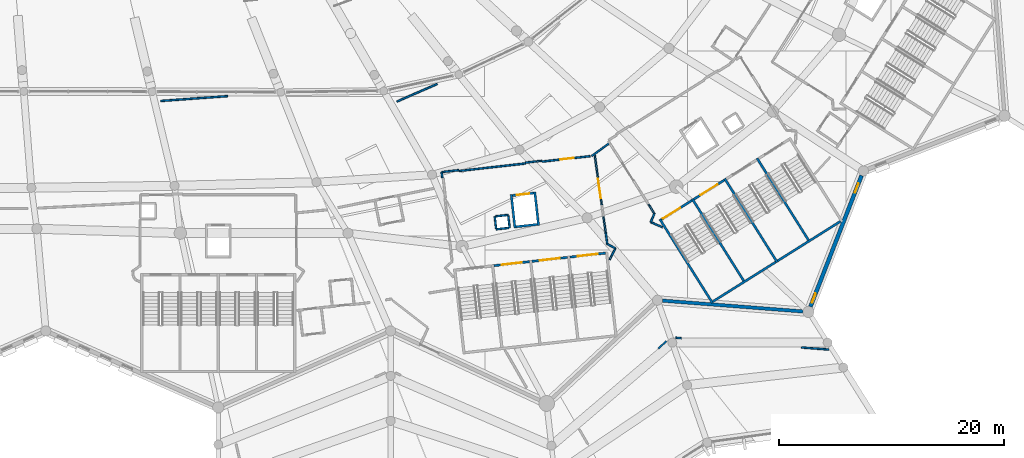
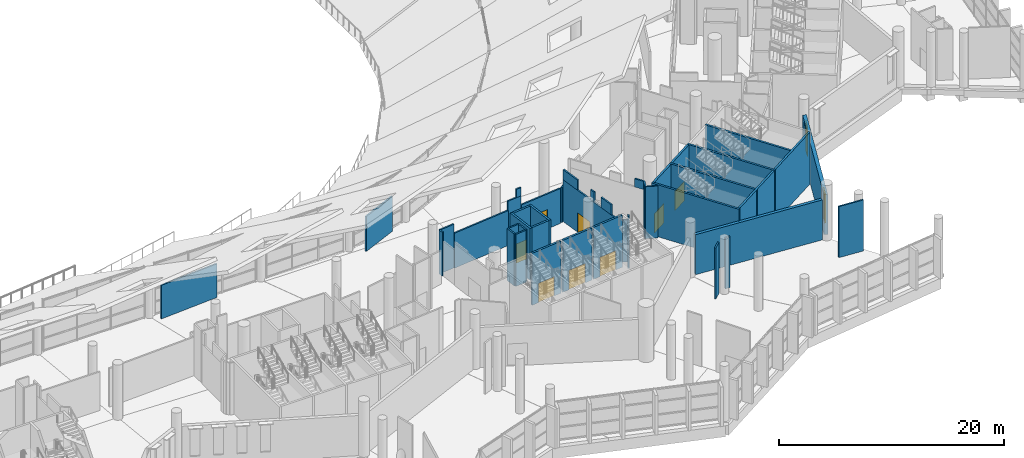
# One storey, part 150 of 249: 43 walls, 8 doors, 2 windows, 10 openings.
"""IFC4 building model written with IfcOpenShell, lengths in metres."""

from ifc_helpers import new_model, si_unit, direction, frame, frame_2d, origin, place, context, subcontext, project, spatial, rectangle, extrude, material, layer, layer_set, type_object, element, fill, save


model = new_model("IFC4")

# Units and contexts
model_context = context("Model", 3, precision=1e-05, world=origin(), true_north=direction((0.0, 1.0)))
body_context = subcontext(model_context, "Body", "Model", "MODEL_VIEW")
ifc_project = project(units=[si_unit("LENGTHUNIT", "METRE"), si_unit("AREAUNIT", "SQUARE_METRE"), si_unit("VOLUMEUNIT", "CUBIC_METRE"), si_unit("PLANEANGLEUNIT", "RADIAN"), si_unit("MASSUNIT", "GRAM", prefix="KILO")], contexts=[model_context])

# Site, building, storey
site_placement = place(None, origin())
site = spatial("IfcSite", under=ifc_project, at=site_placement, CompositionType="ELEMENT")
building_placement = place(site_placement, origin())
building = spatial("IfcBuilding", under=site, at=building_placement, Name="Meseta Stadium", CompositionType="ELEMENT")
storey_placement = place(building_placement, frame((0.0, 0.0, 12.0)))
storey = spatial("IfcBuildingStorey", under=building, at=storey_placement, Name="L02", CompositionType="ELEMENT", Elevation=12.0)

# Walls
ifc_material_1 = material(Name="Concrete C40/50", Category="concrete")
ifc_layer_1 = layer(ifc_material_1, 0.199951171875)
ifc_layer_set_1 = layer_set([ifc_layer_1], Name="Core divider wall 200")
wall_type_1 = type_object("IfcWallType", Name="Core divider wall 200", PredefinedType="SHEAR", material=ifc_layer_set_1)
wall_1_placement = place(storey_placement, frame((69.8291015625, -94.314453125, 0.0), z_axis=(0.0, 0.0, 1.0), x_axis=(-0.532032334759, 0.846724036963, 0.0)))
element("IfcWall", 1, at=wall_1_placement, inside=storey, type_object=wall_type_1, Name="Core 27 L02 stair A divider wall", PredefinedType="SHEAR", context=body_context, shape_type="SweptSolid", body=[
    extrude(rectangle(XDim=8.800048828125, YDim=0.199951171875, at=frame_2d((4.39990234375, 0.0))), origin(), (0.0, 0.0, 1.0), 5.64990234375),
])
wall_2_placement = place(storey_placement, frame((75.5869140625, -90.696533203125, 0.0), z_axis=(0.0, 0.0, 1.0), x_axis=(-0.532044832901, 0.846716183726, 0.0)))
element("IfcWall", 2, at=wall_2_placement, inside=storey, type_object=wall_type_1, Name="Core 27 L02 stair B divider wall", PredefinedType="SHEAR", context=body_context, shape_type="SweptSolid", body=[
    extrude(rectangle(XDim=8.7998046875, YDim=0.199951171875, at=frame_2d((4.39990234375, 0.0))), origin(), (0.0, 0.0, 1.0), 5.64990234375),
])

# Wall, opening, door
ifc_material_2 = material(Name="Concrete C40/50", Category="concrete")
ifc_layer_2 = layer(ifc_material_2, 0.199951171875)
ifc_layer_set_2 = layer_set([ifc_layer_2], Name="Core shaft wall 200")
wall_type_2 = type_object("IfcWallType", Name="Core shaft wall 200", PredefinedType="SHEAR", material=ifc_layer_set_2)
wall_3_placement = place(storey_placement, frame((47.501708984375, -92.801025390625, 0.0), z_axis=(0.0, 0.0, 1.0), x_axis=(0.993707560215, 0.112005735442, 0.0)))
wall_3 = element("IfcWall", 3, at=wall_3_placement, inside=storey, type_object=wall_type_2, Name="Core 26 L02 stair A2 inner end wall", PredefinedType="SHEAR", context=body_context, shape_type="SweptSolid", body=[
    extrude(rectangle(XDim=3.19970703125, YDim=0.199951171875, at=frame_2d((1.599853515625, 0.0))), origin(), (0.0, 0.0, 1.0), 5.64990234375),
])
opening_1_placement = place(wall_3_placement, frame((0.699951171875, 0.0, 0.0)))
opening_1 = element("IfcOpeningElement", 4, at=opening_1_placement, cuts=wall_3, Name="Opening D1156", PredefinedType="OPENING", context=body_context, shape_type="SweptSolid", body=[
    extrude(rectangle(XDim=1.800048828125, YDim=2.10009765625, at=frame_2d((0.89990234375, 1.050048828125))), frame((0.0, 0.10986328125, 0.0), z_axis=(0.0, -1.0, 0.0), x_axis=(1.0, 0.0, 0.0)), (0.0, 0.0, 1.0), 0.219970703125),
])
ifc_material_3 = material(Name="Steel", Category="steel")
door_type_1 = type_object("IfcDoorType", Name="Stair door 1800x2100", OperationType="DOUBLE_DOOR_SINGLE_SWING", PredefinedType="DOOR", material=ifc_material_3)
door_1_placement = place(opening_1_placement, origin())
door_1 = element("IfcDoor", 5, at=door_1_placement, inside=storey, type_object=door_type_1, Name="Stair A2 door 26 L02", OperationType="DOUBLE_DOOR_SINGLE_SWING", OverallHeight=2.10009765625, OverallWidth=1.800048828125, PredefinedType="DOOR", context=body_context, shape_type="SweptSolid", body=[
    extrude(rectangle(XDim=1.800048828125, YDim=2.10009765625, at=frame_2d((0.89990234375, 1.050048828125))), frame((0.0, 0.02490234375, 0.0), z_axis=(0.0, -1.0, 0.0), x_axis=(1.0, 0.0, 0.0)), (0.0, 0.0, 1.0), 0.050048828125),
])
fill(opening_1, door_1)

wall_4_placement = place(storey_placement, frame((50.88037109375, -92.42041015625, 0.0), z_axis=(0.0, 0.0, 1.0), x_axis=(0.993707560215, 0.112005735442, 0.0)))
wall_4 = element("IfcWall", 6, at=wall_4_placement, inside=storey, type_object=wall_type_2, Name="Core 26 L02 stair B1 inner end wall", PredefinedType="SHEAR", context=body_context, shape_type="SweptSolid", body=[
    extrude(rectangle(XDim=3.19970703125, YDim=0.199951171875, at=frame_2d((1.599853515625, 0.0))), origin(), (0.0, 0.0, 1.0), 5.64990234375),
])
opening_2_placement = place(wall_4_placement, frame((0.699951171875, 0.0, 0.0)))
opening_2 = element("IfcOpeningElement", 7, at=opening_2_placement, cuts=wall_4, Name="Opening D1159", PredefinedType="OPENING", context=body_context, shape_type="SweptSolid", body=[
    extrude(rectangle(XDim=1.800048828125, YDim=2.10009765625, at=frame_2d((0.89990234375, 1.050048828125))), frame((0.0, 0.10986328125, 0.0), z_axis=(0.0, -1.0, 0.0), x_axis=(1.0, 0.0, 0.0)), (0.0, 0.0, 1.0), 0.219970703125),
])
door_2_placement = place(opening_2_placement, origin())
door_2 = element("IfcDoor", 8, at=door_2_placement, inside=storey, type_object=door_type_1, Name="Stair B1 door 26 L02", OperationType="DOUBLE_DOOR_SINGLE_SWING", OverallHeight=2.10009765625, OverallWidth=1.800048828125, PredefinedType="DOOR", context=body_context, shape_type="SweptSolid", body=[
    extrude(rectangle(XDim=1.800048828125, YDim=2.10009765625, at=frame_2d((0.89990234375, 1.050048828125))), frame((0.0, 0.02490234375, 0.0), z_axis=(0.0, -1.0, 0.0), x_axis=(1.0, 0.0, 0.0)), (0.0, 0.0, 1.0), 0.050048828125),
])
fill(opening_2, door_2)

wall_5_placement = place(storey_placement, frame((54.2587890625, -92.03955078125, 0.0), z_axis=(0.0, 0.0, 1.0), x_axis=(0.993717005286, 0.11192190762, 0.0)))
wall_5 = element("IfcWall", 9, at=wall_5_placement, inside=storey, type_object=wall_type_2, Name="Core 26 L02 stair B2 inner end wall", PredefinedType="SHEAR", context=body_context, shape_type="SweptSolid", body=[
    extrude(rectangle(XDim=3.199951171875, YDim=0.199951171875, at=frame_2d((1.60009765625, 0.0))), origin(), (0.0, 0.0, 1.0), 5.64990234375),
])
opening_3_placement = place(wall_5_placement, frame((0.699951171875, 0.0, 0.0)))
opening_3 = element("IfcOpeningElement", 10, at=opening_3_placement, cuts=wall_5, Name="Opening D1165", PredefinedType="OPENING", context=body_context, shape_type="SweptSolid", body=[
    extrude(rectangle(XDim=1.800048828125, YDim=2.10009765625, at=frame_2d((0.89990234375, 1.050048828125))), frame((0.0, 0.10986328125, 0.0), z_axis=(0.0, -1.0, 0.0), x_axis=(1.0, 0.0, 0.0)), (0.0, 0.0, 1.0), 0.219970703125),
])
door_3_placement = place(opening_3_placement, origin())
door_3 = element("IfcDoor", 11, at=door_3_placement, inside=storey, type_object=door_type_1, Name="Stair B2 door 26 L02", OperationType="DOUBLE_DOOR_SINGLE_SWING", OverallHeight=2.10009765625, OverallWidth=1.800048828125, PredefinedType="DOOR", context=body_context, shape_type="SweptSolid", body=[
    extrude(rectangle(XDim=1.800048828125, YDim=2.10009765625, at=frame_2d((0.89990234375, 1.050048828125))), frame((0.0, 0.02490234375, 0.0), z_axis=(0.0, -1.0, 0.0), x_axis=(1.0, 0.0, 0.0)), (0.0, 0.0, 1.0), 0.050048828125),
])
fill(opening_3, door_3)

# Walls
for number, where, z_axis, x_axis, name in (
    (12, (49.388671875, -89.45361328125, 0.0), (0.0, 0.0, 1.0), (-0.111976588553, 0.993710845073, 0.0), "Core 26 L02 lift shaft wall left"),
    (13, (51.4755859375, -89.218505859375, 0.0), (0.0, 0.0, 1.0), (-0.111976588553, 0.993710845073, 0.0), "Core 26 L02 lift shaft wall right"),
):
    element("IfcWall", number, at=place(storey_placement, frame(where, z_axis=z_axis, x_axis=x_axis)), inside=storey, type_object=wall_type_2, Name=name, PredefinedType="SHEAR", context=body_context, shape_type="SweptSolid", body=[
        extrude(rectangle(XDim=3.0, YDim=0.199951171875, at=frame_2d((1.5, 0.0))), origin(), (0.0, 0.0, 1.0), 5.64990234375),
    ])
wall_6_placement = place(storey_placement, frame((49.476806640625, -89.343017578125, 0.0), z_axis=(0.0, 0.0, 1.0), x_axis=(0.993718105662, 0.11191213732, 0.0)))
element("IfcWall", 14, at=wall_6_placement, inside=storey, type_object=wall_type_2, Name="Core 26 L02 lift shaft back wall", PredefinedType="SHEAR", context=body_context, shape_type="SweptSolid", body=[
    extrude(rectangle(XDim=1.900146484375, YDim=0.199951171875, at=frame_2d((0.9501953125, 0.0))), origin(), (0.0, 0.0, 1.0), 5.64990234375),
])

# Wall, opening, door
wall_7_placement = place(storey_placement, frame((49.163330078125, -86.560791015625, 0.0), z_axis=(0.0, 0.0, 1.0), x_axis=(0.993703808847, 0.112039012324, 0.0)))
wall_7 = element("IfcWall", 15, at=wall_7_placement, inside=storey, type_object=wall_type_2, Name="Core 26 L02 lift shaft front wall", PredefinedType="SHEAR", context=body_context, shape_type="SweptSolid", body=[
    extrude(rectangle(XDim=1.900146484375, YDim=0.199951171875, at=frame_2d((0.9501953125, 0.0))), origin(), (0.0, 0.0, 1.0), 5.64990234375),
])
opening_4_placement = place(wall_7_placement, frame((0.39990234375, 0.0, 0.0)))
opening_4 = element("IfcOpeningElement", 16, at=opening_4_placement, cuts=wall_7, Name="Opening LD144", PredefinedType="OPENING", context=body_context, shape_type="SweptSolid", body=[
    extrude(rectangle(XDim=1.10009765625, YDim=2.10009765625, at=frame_2d((0.550048828125, 1.050048828125))), frame((0.0, 0.10986328125, 0.0), z_axis=(0.0, -1.0, 0.0), x_axis=(1.0, 0.0, 0.0)), (0.0, 0.0, 1.0), 0.219970703125),
])
ifc_material_4 = material(Name="Steel", Category="steel")
door_type_2 = type_object("IfcDoorType", Name="Lift landing door 1100x2100", OperationType="SLIDING_TO_LEFT", PredefinedType="DOOR", material=ifc_material_4)
door_4_placement = place(opening_4_placement, origin())
door_4 = element("IfcDoor", 17, at=door_4_placement, inside=storey, type_object=door_type_2, Name="Lift landing door LD144", OperationType="SLIDING_TO_RIGHT", OverallHeight=2.10009765625, OverallWidth=1.10009765625, PredefinedType="DOOR", context=body_context, shape_type="SweptSolid", body=[
    extrude(rectangle(XDim=1.10009765625, YDim=2.10009765625, at=frame_2d((0.550048828125, 1.050048828125))), frame((0.0, 0.02490234375, 0.0), z_axis=(0.0, -1.0, 0.0), x_axis=(1.0, 0.0, 0.0)), (0.0, 0.0, 1.0), 0.050048828125),
])
fill(opening_4, door_4)

# Walls
for number, where, z_axis, x_axis, name in (
    (18, (66.9501953125, -96.123291015625, 0.0), (0.0, 0.0, 1.0), (-0.532032334759, 0.846724036963, 0.0), "Core 27 L02 stair wall A-side"),
    (19, (72.7080078125, -92.505615234375, 0.0), (0.0, 0.0, 1.0), (-0.532032334759, 0.846724036963, 0.0), "Core 27 L02 stair wall shared"),
):
    element("IfcWall", number, at=place(storey_placement, frame(where, z_axis=z_axis, x_axis=x_axis)), inside=storey, type_object=wall_type_2, Name=name, PredefinedType="SHEAR", context=body_context, shape_type="SweptSolid", body=[
        extrude(rectangle(XDim=8.800048828125, YDim=0.199951171875, at=frame_2d((4.39990234375, 0.0))), origin(), (0.0, 0.0, 1.0), 5.64990234375),
    ])
for number, where, z_axis, x_axis, name in (
    (20, (66.981689453125, -95.985595703125, 0.0), (0.0, 0.0, 1.0), (0.846719870989, 0.532038964807, 0.0), "Core 27 L02 stair A outer end wall"),
    (21, (72.739501953125, -92.36767578125, 0.0), (0.0, 0.0, 1.0), (0.846719870989, 0.532038964807, 0.0), "Core 27 L02 stair B outer end wall"),
):
    element("IfcWall", number, at=place(storey_placement, frame(where, z_axis=z_axis, x_axis=x_axis)), inside=storey, type_object=wall_type_2, Name=name, PredefinedType="SHEAR", context=body_context, shape_type="SweptSolid", body=[
        extrude(rectangle(XDim=6.60009765625, YDim=0.199951171875, at=frame_2d((3.300048828125, 0.0))), origin(), (0.0, 0.0, 1.0), 5.64990234375),
    ])

# Wall, opening, door
wall_8_placement = place(storey_placement, frame((62.40625, -88.70361328125, 0.0), z_axis=(0.0, 0.0, 1.0), x_axis=(0.846735733015, 0.532013720158, 0.0)))
wall_8 = element("IfcWall", 22, at=wall_8_placement, inside=storey, type_object=wall_type_2, Name="Core 27 L02 stair A1 inner end wall", PredefinedType="SHEAR", context=body_context, shape_type="SweptSolid", body=[
    extrude(rectangle(XDim=3.199951171875, YDim=0.199951171875, at=frame_2d((1.60009765625, 0.0))), origin(), (0.0, 0.0, 1.0), 5.64990234375),
])
opening_5_placement = place(wall_8_placement, frame((0.177978515625, 0.0, 0.0)))
opening_5 = element("IfcOpeningElement", 23, at=opening_5_placement, cuts=wall_8, Name="Opening D1171", PredefinedType="OPENING", context=body_context, shape_type="SweptSolid", body=[
    extrude(rectangle(XDim=1.800048828125, YDim=2.10009765625, at=frame_2d((0.89990234375, 1.050048828125))), frame((0.0, 0.10986328125, 0.0), z_axis=(0.0, -1.0, 0.0), x_axis=(1.0, 0.0, 0.0)), (0.0, 0.0, 1.0), 0.219970703125),
])
door_5_placement = place(opening_5_placement, origin())
door_5 = element("IfcDoor", 24, at=door_5_placement, inside=storey, type_object=door_type_1, Name="Stair A1 door 27 L02", OperationType="DOUBLE_DOOR_SINGLE_SWING", OverallHeight=2.10009765625, OverallWidth=1.800048828125, PredefinedType="DOOR", context=body_context, shape_type="SweptSolid", body=[
    extrude(rectangle(XDim=1.800048828125, YDim=2.10009765625, at=frame_2d((0.89990234375, 1.050048828125))), frame((0.0, 0.02490234375, 0.0), z_axis=(0.0, -1.0, 0.0), x_axis=(1.0, 0.0, 0.0)), (0.0, 0.0, 1.0), 0.050048828125),
])
fill(opening_5, door_5)

wall_9_placement = place(storey_placement, frame((65.28515625, -86.894775390625, 0.0), z_axis=(0.0, 0.0, 1.0), x_axis=(0.846735733015, 0.532013720158, 0.0)))
wall_9 = element("IfcWall", 25, at=wall_9_placement, inside=storey, type_object=wall_type_2, Name="Core 27 L02 stair A2 inner end wall", PredefinedType="SHEAR", context=body_context, shape_type="SweptSolid", body=[
    extrude(rectangle(XDim=3.199951171875, YDim=0.199951171875, at=frame_2d((1.60009765625, 0.0))), origin(), (0.0, 0.0, 1.0), 5.64990234375),
])
opening_6_placement = place(wall_9_placement, frame((0.699951171875, 0.0, 0.0)))
opening_6 = element("IfcOpeningElement", 26, at=opening_6_placement, cuts=wall_9, Name="Opening D1176", PredefinedType="OPENING", context=body_context, shape_type="SweptSolid", body=[
    extrude(rectangle(XDim=1.800048828125, YDim=2.10009765625, at=frame_2d((0.89990234375, 1.050048828125))), frame((0.0, 0.10986328125, 0.0), z_axis=(0.0, -1.0, 0.0), x_axis=(1.0, 0.0, 0.0)), (0.0, 0.0, 1.0), 0.219970703125),
])
door_6_placement = place(opening_6_placement, origin())
door_6 = element("IfcDoor", 27, at=door_6_placement, inside=storey, type_object=door_type_1, Name="Stair A2 door 27 L02", OperationType="DOUBLE_DOOR_SINGLE_SWING", OverallHeight=2.10009765625, OverallWidth=1.800048828125, PredefinedType="DOOR", context=body_context, shape_type="SweptSolid", body=[
    extrude(rectangle(XDim=1.800048828125, YDim=2.10009765625, at=frame_2d((0.89990234375, 1.050048828125))), frame((0.0, 0.02490234375, 0.0), z_axis=(0.0, -1.0, 0.0), x_axis=(1.0, 0.0, 0.0)), (0.0, 0.0, 1.0), 0.050048828125),
])
fill(opening_6, door_6)

# Walls
ifc_material_5 = material(Name="Masonry blockwork", Category="masonry")
ifc_layer_3 = layer(ifc_material_5, 0.14990234375)
ifc_layer_set_3 = layer_set([ifc_layer_3], Name="Partition 150")
wall_type_3 = type_object("IfcWallType", Name="Partition 150", PredefinedType="PARTITIONING", material=ifc_layer_set_3)
wall_10_placement = place(storey_placement, frame((17.878662109375, -78.15380859375, 0.0), z_axis=(0.0, 0.0, 1.0), x_axis=(0.997410531706, 0.071918226082, 0.0)))
element("IfcWall", 28, at=wall_10_placement, inside=storey, type_object=wall_type_3, Name="Partition L02 L02-cell24-0-0", PredefinedType="PARTITIONING", context=body_context, shape_type="SweptSolid", body=[
    extrude(rectangle(XDim=5.97119140625, YDim=0.14990234375, at=frame_2d((2.985595703125, 0.0))), origin(), (0.0, 0.0, 1.0), 3.655029296875),
])
wall_11_placement = place(storey_placement, frame((38.880615234375, -78.21142578125, 0.0), z_axis=(0.0, 0.0, 1.0), x_axis=(0.91648454672, 0.400070088389, 0.0)))
element("IfcWall", 29, at=wall_11_placement, inside=storey, type_object=wall_type_3, Name="Partition L02 L02-cell25-0-0", PredefinedType="PARTITIONING", context=body_context, shape_type="SweptSolid", body=[
    extrude(rectangle(XDim=3.917724609375, YDim=0.14990234375, at=frame_2d((1.958984375, 0.0))), origin(), (0.0, 0.0, 1.0), 3.800537109375),
])
wall_12_placement = place(storey_placement, frame((57.796142578125, -81.883544921875, 0.0), z_axis=(0.0, 0.0, 1.0), x_axis=(-0.805706705003, -0.592314701416, 0.0)))
element("IfcWall", 30, at=wall_12_placement, inside=storey, type_object=wall_type_3, Name="Partition L02 L02-cell25-0-0", PredefinedType="PARTITIONING", context=body_context, shape_type="SweptSolid", body=[
    extrude(rectangle(XDim=1.968994140625, YDim=0.14990234375, at=frame_2d((0.984375, 0.0))), origin(), (0.0, 0.0, 1.0), 3.800537109375),
])

# Wall, opening, door
wall_13_placement = place(storey_placement, frame((56.060302734375, -83.06640625, 0.0), z_axis=(0.0, 0.0, 1.0), x_axis=(-0.993712844466, -0.111958843972, 0.0)))
wall_13 = element("IfcWall", 31, at=wall_13_placement, inside=storey, type_object=wall_type_3, Name="Partition L02 L02-cell25-0-0", PredefinedType="PARTITIONING", context=body_context, shape_type="SweptSolid", body=[
    extrude(rectangle(XDim=4.298095703125, YDim=0.14990234375, at=frame_2d((2.14892578125, 0.0))), origin(), (0.0, 0.0, 1.0), 3.800537109375),
])
opening_7_placement = place(wall_13_placement, frame((1.449951171875, 0.0, 0.0)))
opening_7 = element("IfcOpeningElement", 32, at=opening_7_placement, cuts=wall_13, Name="Opening D1161", PredefinedType="OPENING", context=body_context, shape_type="SweptSolid", body=[
    extrude(rectangle(XDim=1.199951171875, YDim=2.10009765625, at=frame_2d((0.60009765625, 1.050048828125))), frame((0.0, 0.0849609375, 0.0), z_axis=(0.0, -1.0, 0.0), x_axis=(1.0, 0.0, 0.0)), (0.0, 0.0, 1.0), 0.169921875),
])
ifc_material_6 = material(Name="Steel", Category="steel")
door_type_3 = type_object("IfcDoorType", Name="Fire door 1200x2100 EI2 60", OperationType="NOTDEFINED", PredefinedType="DOOR", material=ifc_material_6)
door_7_placement = place(opening_7_placement, origin())
door_7 = element("IfcDoor", 33, at=door_7_placement, inside=storey, type_object=door_type_3, Name="Room door L02 L02-cell25-0-0", OperationType="SINGLE_SWING_LEFT", OverallHeight=2.10009765625, OverallWidth=1.199951171875, PredefinedType="DOOR", context=body_context, shape_type="SweptSolid", body=[
    extrude(rectangle(XDim=1.199951171875, YDim=2.10009765625, at=frame_2d((0.60009765625, 1.050048828125))), frame((0.0, 0.02490234375, 0.0), z_axis=(0.0, -1.0, 0.0), x_axis=(1.0, 0.0, 0.0)), (0.0, 0.0, 1.0), 0.050048828125),
])
fill(opening_7, door_7)

# Walls
wall_14_placement = place(storey_placement, frame((50.31591796875, -83.7138671875, 0.0), z_axis=(0.0, 0.0, 1.0), x_axis=(-0.993716960296, -0.111922307073, 0.0)))
element("IfcWall", 34, at=wall_14_placement, inside=storey, type_object=wall_type_3, Name="Partition L02 L02-cell25-0-0", PredefinedType="PARTITIONING", context=body_context, shape_type="SweptSolid", body=[
    extrude(rectangle(XDim=5.93115234375, YDim=0.14990234375, at=frame_2d((2.965576171875, 0.0))), origin(), (0.0, 0.0, 1.0), 3.800537109375),
])
wall_15_placement = place(storey_placement, frame((62.123046875, -100.180419921875, 0.0), z_axis=(0.0, 0.0, 1.0), x_axis=(0.731655638736, 0.681674428379, 0.0)))
element("IfcWall", 35, at=wall_15_placement, inside=storey, type_object=wall_type_3, Name="Partition L02 L02-ring25-0", PredefinedType="PARTITIONING", context=body_context, shape_type="SweptSolid", body=[
    extrude(rectangle(XDim=0.98681640625, YDim=0.14990234375, at=frame_2d((0.493408203125, 0.0))), origin(), (0.0, 0.0, 1.0), 5.550048828125),
])
wall_16_placement = place(storey_placement, frame((63.691162109375, -99.208740234375, 0.0), z_axis=(0.0, 0.0, 1.0), x_axis=(0.997054485502, -0.076696498885, 0.0)))
element("IfcWall", 36, at=wall_16_placement, inside=storey, type_object=wall_type_3, Name="Partition L02 L02-ring25-0", PredefinedType="PARTITIONING", context=body_context, shape_type="SweptSolid", body=[
    extrude(rectangle(XDim=0.487060546875, YDim=0.14990234375, at=frame_2d((0.24365234375, 0.0))), origin(), (0.0, 0.0, 1.0), 5.550048828125),
])
wall_17_placement = place(storey_placement, frame((74.8564453125, -100.0703125, 0.0), z_axis=(0.0, 0.0, 1.0), x_axis=(0.99703735319, -0.076918894578, 0.0)))
element("IfcWall", 37, at=wall_17_placement, inside=storey, type_object=wall_type_3, Name="Partition L02 L02-ring25-0", PredefinedType="PARTITIONING", context=body_context, shape_type="SweptSolid", body=[
    extrude(rectangle(XDim=2.4345703125, YDim=0.14990234375, at=frame_2d((1.21728515625, 0.0))), origin(), (0.0, 0.0, 1.0), 5.550048828125),
])
wall_18_placement = place(storey_placement, frame((47.7158203125, -89.566650390625, 0.0), z_axis=(0.0, 0.0, 1.0), x_axis=(0.993710504932, 0.11197960702, 0.0)))
element("IfcWall", 38, at=wall_18_placement, inside=storey, type_object=wall_type_3, Name="Pressurisation shaft wall L02 core 26", PredefinedType="PARTITIONING", context=body_context, shape_type="SweptSolid", body=[
    extrude(rectangle(XDim=1.125, YDim=0.14990234375, at=frame_2d((0.5625, 0.0))), origin(), (0.0, 0.0, 1.0), 5.64990234375),
])
wall_19_placement = place(storey_placement, frame((48.908203125, -89.432373046875, 0.0), z_axis=(0.0, 0.0, 1.0), x_axis=(-0.111951742856, 0.993713644503, 0.0)))
element("IfcWall", 39, at=wall_19_placement, inside=storey, type_object=wall_type_3, Name="Pressurisation shaft wall L02 core 26", PredefinedType="PARTITIONING", context=body_context, shape_type="SweptSolid", body=[
    extrude(rectangle(XDim=1.0751953125, YDim=0.14990234375, at=frame_2d((0.53759765625, 0.0))), origin(), (0.0, 0.0, 1.0), 5.64990234375),
])
wall_20_placement = place(storey_placement, frame((48.779541015625, -88.28955078125, 0.0), z_axis=(0.0, 0.0, 1.0), x_axis=(-0.993710504932, -0.11197960702, 0.0)))
element("IfcWall", 40, at=wall_20_placement, inside=storey, type_object=wall_type_3, Name="Pressurisation shaft wall L02 core 26", PredefinedType="PARTITIONING", context=body_context, shape_type="SweptSolid", body=[
    extrude(rectangle(XDim=1.125, YDim=0.14990234375, at=frame_2d((0.5625, 0.0))), origin(), (0.0, 0.0, 1.0), 5.64990234375),
])
wall_21_placement = place(storey_placement, frame((47.587158203125, -88.423828125, 0.0), z_axis=(0.0, 0.0, 1.0), x_axis=(0.111951742856, -0.993713644503, 0.0)))
element("IfcWall", 41, at=wall_21_placement, inside=storey, type_object=wall_type_3, Name="Pressurisation shaft wall L02 core 26", PredefinedType="PARTITIONING", context=body_context, shape_type="SweptSolid", body=[
    extrude(rectangle(XDim=1.0751953125, YDim=0.14990234375, at=frame_2d((0.53759765625, 0.0))), origin(), (0.0, 0.0, 1.0), 5.64990234375),
])
wall_22_placement = place(storey_placement, frame((51.77099609375, -83.474365234375, 0.0), z_axis=(0.0, 0.0, 1.0), x_axis=(-0.993709511216, -0.111988424929, 0.0)))
element("IfcWall", 42, at=wall_22_placement, inside=storey, type_object=wall_type_3, Name="Stair vestibule wall L02 core 26", PredefinedType="PARTITIONING", context=body_context, shape_type="SweptSolid", body=[
    extrude(rectangle(XDim=1.462890625, YDim=0.14990234375, at=frame_2d((0.7314453125, 0.0))), origin(), (0.0, 0.0, 1.0), 4.75),
])
wall_23_placement = place(storey_placement, frame((51.77099609375, -83.474365234375, 4.75), z_axis=(0.0, 0.0, 1.0), x_axis=(-0.993686724241, -0.112190436608, 0.0)))
element("IfcWall", 43, at=wall_23_placement, inside=storey, type_object=wall_type_3, Name="Stair vestibule wall L02 core 26", PredefinedType="PARTITIONING", context=body_context, shape_type="SweptSolid", body=[
    extrude(rectangle(XDim=0.487548828125, YDim=0.14990234375, at=frame_2d((0.24365234375, 0.0))), origin(), (0.0, 0.0, 1.0), 0.89990234375),
])
wall_24_placement = place(storey_placement, frame((44.40380859375, -84.304443359375, 0.0), z_axis=(0.0, 0.0, 1.0), x_axis=(-0.993711371041, -0.111971920876, 0.0)))
element("IfcWall", 44, at=wall_24_placement, inside=storey, type_object=wall_type_3, Name="Stair vestibule wall L02 core 26", PredefinedType="PARTITIONING", context=body_context, shape_type="SweptSolid", body=[
    extrude(rectangle(XDim=1.548095703125, YDim=0.14990234375, at=frame_2d((0.77392578125, 0.0))), origin(), (0.0, 0.0, 1.0), 4.75),
])
wall_25_placement = place(storey_placement, frame((42.865478515625, -84.477783203125, 0.0), z_axis=(0.0, 0.0, 1.0), x_axis=(0.112167534238, -0.993689309726, 0.0)))
element("IfcWall", 45, at=wall_25_placement, inside=storey, type_object=wall_type_3, Name="Stair vestibule wall L02 core 26", PredefinedType="PARTITIONING", context=body_context, shape_type="SweptSolid", body=[
    extrude(rectangle(XDim=0.50927734375, YDim=0.14990234375, at=frame_2d((0.254638671875, 0.0))), origin(), (0.0, 0.0, 1.0), 4.75),
])
wall_26_placement = place(storey_placement, frame((57.7958984375, -92.2646484375, 0.0), z_axis=(0.0, 0.0, 1.0), x_axis=(0.465996305434, 0.884786665429, 0.0)))
element("IfcWall", 46, at=wall_26_placement, inside=storey, type_object=wall_type_3, Name="Stair vestibule wall L02 core 26", PredefinedType="PARTITIONING", context=body_context, shape_type="SweptSolid", body=[
    extrude(rectangle(XDim=1.12744140625, YDim=0.14990234375, at=frame_2d((0.563720703125, 0.0))), origin(), (0.0, 0.0, 1.0), 4.550048828125),
])
wall_27_placement = place(storey_placement, frame((57.7958984375, -92.2646484375, 4.550048828125), z_axis=(0.0, 0.0, 1.0), x_axis=(0.46582676118, 0.884875939648, 0.0)))
element("IfcWall", 47, at=wall_27_placement, inside=storey, type_object=wall_type_3, Name="Stair vestibule wall L02 core 26", PredefinedType="PARTITIONING", context=body_context, shape_type="SweptSolid", body=[
    extrude(rectangle(XDim=0.375732421875, YDim=0.14990234375, at=frame_2d((0.18798828125, 0.0))), origin(), (0.0, 0.0, 1.0), 1.099853515625),
])
wall_28_placement = place(storey_placement, frame((58.3212890625, -91.26708984375, 0.0), z_axis=(0.0, 0.0, 1.0), x_axis=(-0.876804418909, 0.480847180487, 0.0)))
element("IfcWall", 48, at=wall_28_placement, inside=storey, type_object=wall_type_3, Name="Stair vestibule wall L02 core 26", PredefinedType="PARTITIONING", context=body_context, shape_type="SweptSolid", body=[
    extrude(rectangle(XDim=0.8310546875, YDim=0.14990234375, at=frame_2d((0.41552734375, 0.0))), origin(), (0.0, 0.0, 1.0), 4.550048828125),
])

# Wall, opening, door
wall_29_placement = place(storey_placement, frame((57.592529296875, -90.867431640625, 0.0), z_axis=(0.0, 0.0, 1.0), x_axis=(-0.140198547284, 0.990123410156, 0.0)))
wall_29 = element("IfcWall", 49, at=wall_29_placement, inside=storey, type_object=wall_type_3, Name="Stair vestibule wall L02 core 26", PredefinedType="PARTITIONING", context=body_context, shape_type="SweptSolid", body=[
    extrude(rectangle(XDim=7.93896484375, YDim=0.14990234375, at=frame_2d((3.969482421875, 0.0))), origin(), (0.0, 0.0, 1.0), 4.550048828125),
])
opening_8_placement = place(wall_29_placement, frame((4.050048828125, 0.0, 0.0)))
opening_8 = element("IfcOpeningElement", 50, at=opening_8_placement, cuts=wall_29, Name="Opening D1166", PredefinedType="OPENING", context=body_context, shape_type="SweptSolid", body=[
    extrude(rectangle(XDim=1.800048828125, YDim=2.10009765625, at=frame_2d((0.89990234375, 1.050048828125))), frame((0.0, 0.0849609375, 0.0), z_axis=(0.0, -1.0, 0.0), x_axis=(1.0, 0.0, 0.0)), (0.0, 0.0, 1.0), 0.169921875),
])
ifc_material_7 = material(Name="Steel", Category="steel")
door_type_4 = type_object("IfcDoorType", Name="Fire double door 1800x2100 EI2 60", OperationType="DOUBLE_DOOR_SINGLE_SWING", PredefinedType="DOOR", material=ifc_material_7)
door_8_placement = place(opening_8_placement, origin())
door_8 = element("IfcDoor", 51, at=door_8_placement, inside=storey, type_object=door_type_4, Name="Stair vestibule door L02 core 26", OperationType="DOUBLE_DOOR_SINGLE_SWING", OverallHeight=2.10009765625, OverallWidth=1.800048828125, PredefinedType="DOOR", context=body_context, shape_type="SweptSolid", body=[
    extrude(rectangle(XDim=1.800048828125, YDim=2.10009765625, at=frame_2d((0.89990234375, 1.050048828125))), frame((0.0, 0.02490234375, 0.0), z_axis=(0.0, -1.0, 0.0), x_axis=(1.0, 0.0, 0.0)), (0.0, 0.0, 1.0), 0.050048828125),
])
fill(opening_8, door_8)

# Walls
wall_30_placement = place(storey_placement, frame((57.453369140625, -89.885009765625, 4.550048828125), z_axis=(0.0, 0.0, 1.0), x_axis=(-0.140204503897, 0.990122566699, 0.0)))
element("IfcWall", 52, at=wall_30_placement, inside=storey, type_object=wall_type_3, Name="Stair vestibule wall L02 core 26", PredefinedType="PARTITIONING", context=body_context, shape_type="SweptSolid", body=[
    extrude(rectangle(XDim=1.48876953125, YDim=0.14990234375, at=frame_2d((0.744384765625, 0.0))), origin(), (0.0, 0.0, 1.0), 1.099853515625),
])
wall_31_placement = place(storey_placement, frame((56.765380859375, -85.02587890625, 4.550048828125), z_axis=(0.0, 0.0, 1.0), x_axis=(-0.140197661448, 0.990123535588, 0.0)))
element("IfcWall", 53, at=wall_31_placement, inside=storey, type_object=wall_type_3, Name="Stair vestibule wall L02 core 26", PredefinedType="PARTITIONING", context=body_context, shape_type="SweptSolid", body=[
    extrude(rectangle(XDim=2.0390625, YDim=0.14990234375, at=frame_2d((1.01953125, 0.0))), origin(), (0.0, 0.0, 1.0), 1.099853515625),
])
wall_32_placement = place(storey_placement, frame((61.269287109375, -87.362060546875, 4.75), z_axis=(0.0, 0.0, 1.0), x_axis=(0.535345397356, -0.844633237287, 0.0)))
element("IfcWall", 54, at=wall_32_placement, inside=storey, type_object=wall_type_3, Name="Stair vestibule wall L02 core 27", PredefinedType="PARTITIONING", context=body_context, shape_type="SweptSolid", body=[
    extrude(rectangle(XDim=0.950439453125, YDim=0.14990234375, at=frame_2d((0.47509765625, 0.0))), origin(), (0.0, 0.0, 1.0), 0.89990234375),
])
wall_33_placement = place(storey_placement, frame((61.778076171875, -88.164794921875, 0.0), z_axis=(0.0, 0.0, 1.0), x_axis=(-0.386161385203, -0.922431235691, 0.0)))
element("IfcWall", 55, at=wall_33_placement, inside=storey, type_object=wall_type_3, Name="Stair vestibule wall L02 core 27", PredefinedType="PARTITIONING", context=body_context, shape_type="SweptSolid", body=[
    extrude(rectangle(XDim=0.82958984375, YDim=0.14990234375, at=frame_2d((0.414794921875, 0.0))), origin(), (0.0, 0.0, 1.0), 5.64990234375),
])
wall_34_placement = place(storey_placement, frame((61.457763671875, -88.929931640625, 0.0), z_axis=(0.0, 0.0, 1.0), x_axis=(0.916038066632, -0.401091336831, 0.0)))
element("IfcWall", 56, at=wall_34_placement, inside=storey, type_object=wall_type_3, Name="Stair vestibule wall L02 core 27", PredefinedType="PARTITIONING", context=body_context, shape_type="SweptSolid", body=[
    extrude(rectangle(XDim=1.1279296875, YDim=0.14990234375, at=frame_2d((0.56396484375, 0.0))), origin(), (0.0, 0.0, 1.0), 5.64990234375),
])
wall_35_placement = place(storey_placement, frame((57.10546875, -87.428466796875, 4.550048828125), z_axis=(0.0, 0.0, 1.0), x_axis=(-0.139993461271, 0.990152428064, 0.0)))
element("IfcWall", 57, at=wall_35_placement, inside=storey, type_object=wall_type_3, Name="Stair vestibule wall L02 core 26", PredefinedType="PARTITIONING", context=body_context, shape_type="SweptSolid", body=[
    extrude(rectangle(XDim=0.526611328125, YDim=0.14990234375, at=frame_2d((0.26318359375, 0.0))), origin(), (0.0, 0.0, 1.0), 1.099853515625),
])
ifc_material_8 = material(Name="White precast concrete C40/50", Category="concrete")
ifc_layer_4 = layer(ifc_material_8, 0.300048828125)
ifc_layer_set_4 = layer_set([ifc_layer_4], Name="Pleated panel wall 300 concourse")
wall_type_4 = type_object("IfcWallType", Name="Pleated panel wall 300 concourse", PredefinedType="SOLIDWALL", material=ifc_layer_set_4)
wall_36_placement = place(storey_placement, frame((74.9765625, -96.8701171875, 0.0), z_axis=(0.0, 0.0, 1.0), x_axis=(-0.997035289114, 0.076945644854, 0.0)))
element("IfcWall", 58, at=wall_36_placement, inside=storey, type_object=wall_type_4, Name="Pleated facade panel L02 F51", PredefinedType="SOLIDWALL", context=body_context, shape_type="SweptSolid", body=[
    extrude(rectangle(XDim=12.513916015625, YDim=0.300048828125, at=frame_2d((6.2568359375, 0.0))), origin(), (0.0, 0.0, 1.0), 4.35009765625),
])

# Wall, openings, windows
ifc_material_9 = material(Name="White precast concrete C40/50", Category="concrete")
ifc_layer_5 = layer(ifc_material_9, 0.35009765625)
ifc_layer_set_5 = layer_set([ifc_layer_5], Name="Pleated panel wall 350 gate")
wall_type_5 = type_object("IfcWallType", Name="Pleated panel wall 350 gate", PredefinedType="SOLIDWALL", material=ifc_layer_set_5)
wall_37_placement = place(storey_placement, frame((80.2021484375, -84.784423828125, 0.0), z_axis=(0.0, 0.0, 1.0), x_axis=(-0.363293457312, -0.931674762927, 0.0)))
wall_37 = element("IfcWall", 59, at=wall_37_placement, inside=storey, type_object=wall_type_5, Name="Pleated facade panel L02 F52", PredefinedType="SOLIDWALL", context=body_context, shape_type="SweptSolid", body=[
    extrude(rectangle(XDim=12.513671875, YDim=0.35009765625, at=frame_2d((6.2568359375, 0.0))), origin(), (0.0, 0.0, 1.0), 4.35009765625),
])
opening_9_placement = place(wall_37_placement, frame((0.750244140625, 0.0, 1.0)))
opening_9 = element("IfcOpeningElement", 60, at=opening_9_placement, cuts=wall_37, Name="Opening W035", PredefinedType="OPENING", context=body_context, shape_type="SweptSolid", body=[
    extrude(rectangle(XDim=0.89990234375, YDim=3.25, at=frame_2d((0.449951171875, 1.625))), frame((0.0, 0.18505859375, 0.0), z_axis=(0.0, -1.0, 0.0), x_axis=(1.0, 0.0, 0.0)), (0.0, 0.0, 1.0), 0.3701171875),
])
opening_10_placement = place(wall_37_placement, frame((11.250244140625, 0.0, 1.0)))
opening_10 = element("IfcOpeningElement", 61, at=opening_10_placement, cuts=wall_37, Name="Opening W034", PredefinedType="OPENING", context=body_context, shape_type="SweptSolid", body=[
    extrude(rectangle(XDim=0.89990234375, YDim=3.25, at=frame_2d((0.449951171875, 1.625))), frame((0.0, 0.18505859375, 0.0), z_axis=(0.0, -1.0, 0.0), x_axis=(1.0, 0.0, 0.0)), (0.0, 0.0, 1.0), 0.3701171875),
])
ifc_material_10 = material(Name="Aluminium", Category="aluminium")
window_type = type_object("IfcWindowType", Name="Slot window 900x3250", PartitioningType="SINGLE_PANEL", PredefinedType="WINDOW", material=ifc_material_10)
window_1_placement = place(opening_9_placement, origin())
window_1 = element("IfcWindow", 62, at=window_1_placement, inside=storey, type_object=window_type, Name="Slot window L02 F52.1", OverallHeight=3.25, OverallWidth=0.89990234375, PartitioningType="SINGLE_PANEL", PredefinedType="WINDOW", context=body_context, shape_type="SweptSolid", body=[
    extrude(rectangle(XDim=0.89990234375, YDim=3.25, at=frame_2d((0.449951171875, 1.625))), frame((0.0, 0.030029296875, 0.0), z_axis=(0.0, -1.0, 0.0), x_axis=(1.0, 0.0, 0.0)), (0.0, 0.0, 1.0), 0.06005859375),
])
fill(opening_9, window_1)
window_2_placement = place(opening_10_placement, origin())
window_2 = element("IfcWindow", 63, at=window_2_placement, inside=storey, type_object=window_type, Name="Slot window L02 F52.6", OverallHeight=3.25, OverallWidth=0.89990234375, PartitioningType="SINGLE_PANEL", PredefinedType="WINDOW", context=body_context, shape_type="SweptSolid", body=[
    extrude(rectangle(XDim=0.89990234375, YDim=3.25, at=frame_2d((0.449951171875, 1.625))), frame((0.0, 0.030029296875, 0.0), z_axis=(0.0, -1.0, 0.0), x_axis=(1.0, 0.0, 0.0)), (0.0, 0.0, 1.0), 0.06005859375),
])
fill(opening_10, window_2)

save(model, "model.ifc")
